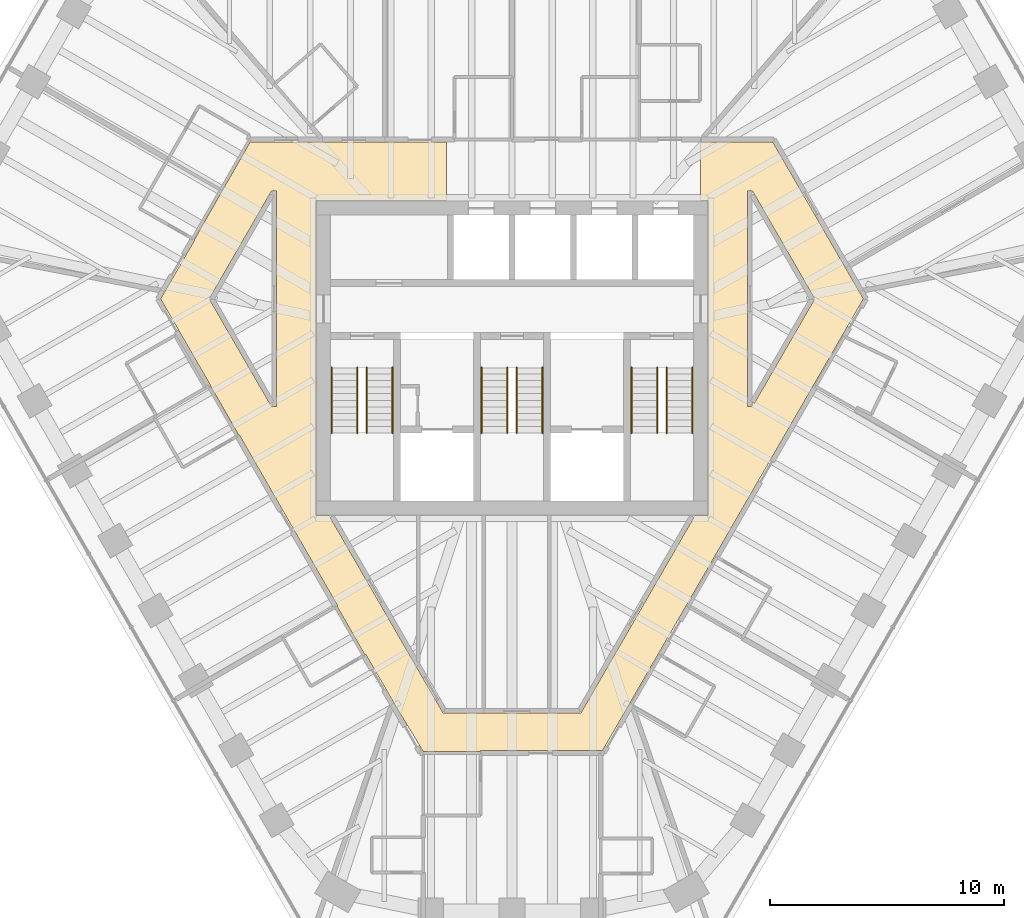
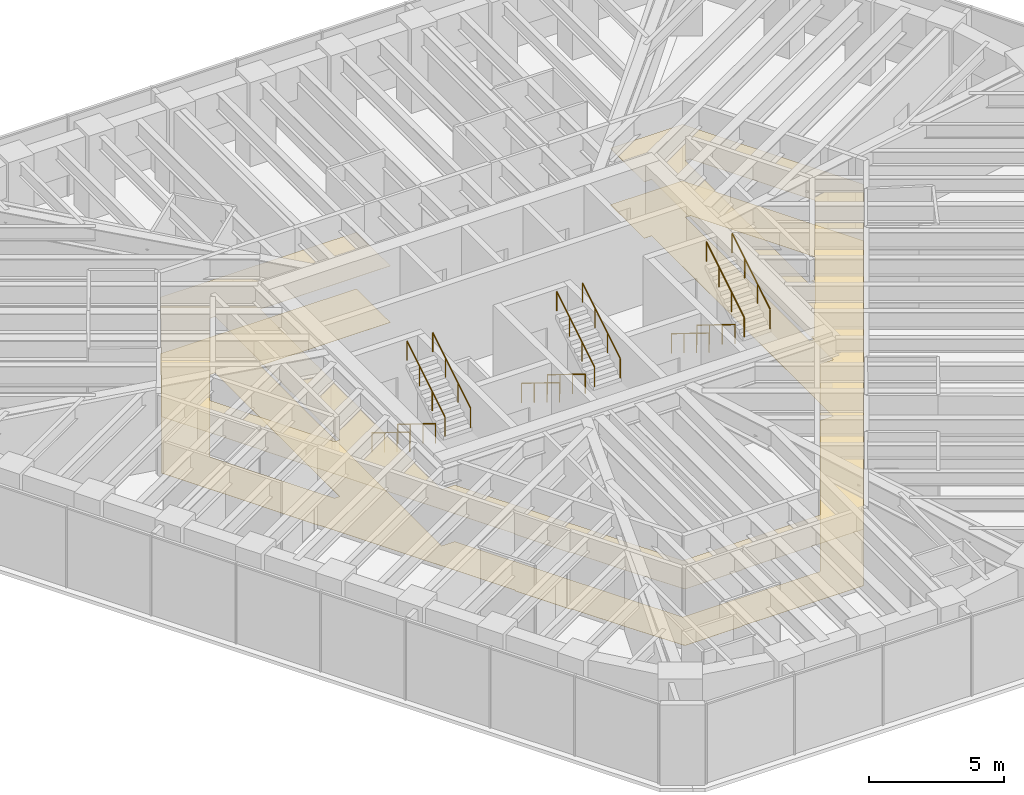
# One storey, part 14 of 14: 12 railings, 2 coverings.
"""IFC4 building model written with IfcOpenShell, lengths in metres."""

from ifc_helpers import new_model, si_unit, direction, frame, origin, origin_2d, place, context, subcontext, project, spatial, polyline, circle, outline, extrude, material, layer, layer_set, type_object, element, save


model = new_model("IFC4")

# Units and contexts
model_context = context("Model", 3, precision=1e-05, world=origin(), true_north=direction((0.0, 1.0)))
body_context = subcontext(model_context, "Body", "Model", "MODEL_VIEW")
ifc_project = project(units=[si_unit("LENGTHUNIT", "METRE"), si_unit("AREAUNIT", "SQUARE_METRE"), si_unit("VOLUMEUNIT", "CUBIC_METRE"), si_unit("PLANEANGLEUNIT", "RADIAN"), si_unit("MASSUNIT", "GRAM", prefix="KILO")], contexts=[model_context])

# Site, building, storey
site_placement = place(None, origin())
site = spatial("IfcSite", under=ifc_project, at=site_placement, CompositionType="ELEMENT")
building_placement = place(site_placement, origin())
building = spatial("IfcBuilding", under=site, at=building_placement, Name="Sandreach Pilgrim Tower", CompositionType="ELEMENT")
storey_placement = place(building_placement, frame((0.0, 0.0, 295.0)))
storey = spatial("IfcBuildingStorey", under=building, at=storey_placement, Name="L74", CompositionType="ELEMENT", Elevation=295.0)

# Coverings
ifc_material_1 = material(Name="Nylon carpet tile on the slab", Category="textile")
ifc_layer_1 = layer(ifc_material_1, 0.008056640625)
ifc_layer_set_1 = layer_set([ifc_layer_1], Name="Carpet tile")
covering_type_1 = type_object("IfcCoveringType", Name="Carpet tile", PredefinedType="FLOORING", material=ifc_layer_set_1)
covering_1_placement = place(storey_placement, origin())
element("IfcCovering", 1, at=covering_1_placement, inside=storey, type_object=covering_type_1, Name="Floor finish 74C Corridor 74", PredefinedType="FLOORING", context=body_context, shape_type="SweptSolid", body=[
    extrude(outline(polyline([(-15.004150390625, 2.529541015625), (-13.54345703125, 5.0498046875), (-13.559814453125, 5.059326171875), (-11.178466796875, 9.22998046875), (-2.800048828125, 9.22998046875), (-2.800048828125, 6.719970703125), (-8.3701171875, 6.719970703125), (-8.3701171875, -6.719970703125), (-7.812744140625, -6.719970703125), (-2.937744140625, -15.159912109375), (2.937744140625, -15.159912109375), (7.812744140625, -6.719970703125), (8.3701171875, -6.719970703125), (8.3701171875, 6.719970703125), (8.050048828125, 6.719970703125), (8.050048828125, 9.22998046875), (11.13232421875, 9.22998046875), (15.004150390625, 2.529541015625), (3.8623046875, -16.760009765625), (-1.340087890625, -16.760009765625), (-1.340087890625, -16.787109375), (-3.7900390625, -16.800048828125), (-3.7900390625, -16.760009765625), (-3.814208984375, -16.760009765625), (-5.036376953125, -14.731201171875), (-6.24365234375, -12.649658203125), (-6.278076171875, -12.669921875), (-7.4736328125, -10.58740234375), (-7.443359375, -10.570068359375), (-11.643310546875, -3.280029296875), (-11.66259765625, -3.291015625), (-12.8828125, -1.16552734375), (-12.87353515625, -1.159912109375), (-15.004150390625, 2.529541015625)]), holes=[polyline([(10.25, -2.070068359375), (10.25, -1.873779296875), (10.3466796875, -1.9296875), (12.925537109375, 2.530029296875), (10.265380859375, 7.139892578125), (10.050048828125, 7.139892578125), (10.050048828125, -2.070068359375), (10.25, -2.070068359375)]), polyline([(-12.925537109375, 2.530029296875), (-10.265625, -2.070068359375), (-10.050048828125, -2.070068359375), (-10.050048828125, 7.139892578125), (-10.265380859375, 7.139892578125), (-12.925537109375, 2.530029296875)])]), origin(), (0.0, 0.0, 1.0), 0.008056640625),
])
ifc_material_2 = material(Name="Gypsum board suspended ceiling on a steel grid", Category="steel")
ifc_layer_2 = layer(ifc_material_2, 0.012939453125)
ifc_layer_set_2 = layer_set([ifc_layer_2], Name="Gypsum board suspended ceiling")
covering_type_2 = type_object("IfcCoveringType", Name="Gypsum board suspended ceiling", PredefinedType="CEILING", material=ifc_layer_set_2)
covering_2_placement = place(storey_placement, frame((0.0, 0.0, 2.550048828125)))
element("IfcCovering", 2, at=covering_2_placement, inside=storey, type_object=covering_type_2, Name="Ceiling 74C Corridor 74", PredefinedType="CEILING", context=body_context, shape_type="SweptSolid", body=[
    extrude(outline(polyline([(-15.004150390625, 2.529541015625), (-13.54345703125, 5.0498046875), (-13.559814453125, 5.059326171875), (-11.178466796875, 9.22998046875), (-2.800048828125, 9.22998046875), (-2.800048828125, 6.719970703125), (-8.3701171875, 6.719970703125), (-8.3701171875, -6.719970703125), (-7.812744140625, -6.719970703125), (-2.937744140625, -15.159912109375), (2.937744140625, -15.159912109375), (7.812744140625, -6.719970703125), (8.3701171875, -6.719970703125), (8.3701171875, 6.719970703125), (8.050048828125, 6.719970703125), (8.050048828125, 9.22998046875), (11.13232421875, 9.22998046875), (15.004150390625, 2.529541015625), (3.8623046875, -16.760009765625), (-1.340087890625, -16.760009765625), (-1.340087890625, -16.787109375), (-3.7900390625, -16.800048828125), (-3.7900390625, -16.760009765625), (-3.814208984375, -16.760009765625), (-5.036376953125, -14.731201171875), (-6.24365234375, -12.649658203125), (-6.278076171875, -12.669921875), (-7.4736328125, -10.58740234375), (-7.443359375, -10.570068359375), (-11.643310546875, -3.280029296875), (-11.66259765625, -3.291015625), (-12.8828125, -1.16552734375), (-12.87353515625, -1.159912109375), (-15.004150390625, 2.529541015625)]), holes=[polyline([(10.25, -2.070068359375), (10.25, -1.873779296875), (10.3466796875, -1.9296875), (12.925537109375, 2.530029296875), (10.265380859375, 7.139892578125), (10.050048828125, 7.139892578125), (10.050048828125, -2.070068359375), (10.25, -2.070068359375)]), polyline([(-12.925537109375, 2.530029296875), (-10.265625, -2.070068359375), (-10.050048828125, -2.070068359375), (-10.050048828125, 7.139892578125), (-10.265380859375, 7.139892578125), (-12.925537109375, 2.530029296875)])]), origin(), (0.0, 0.0, 1.0), 0.012939453125),
])

# Railings
ifc_material_3 = material(Name="Stainless steel tube", Category="steel")
railing_type = type_object("IfcRailingType", Name="Stair handrail", PredefinedType="HANDRAIL", material=ifc_material_3)
for number, where, name in (
    (3, (-6.60009765625, -0.39990234375, 0.172607421875), "Handrail ST1 L74 flight 1"),
    (4, (-7.699951171875, -0.39990234375, 0.172607421875), "Handrail ST1 L74 flight 1"),
):
    element("IfcRailing", number, at=place(storey_placement, frame(where)), inside=storey, type_object=railing_type, Name=name, PredefinedType="HANDRAIL", context=body_context, shape_type="SweptSolid", body=[
        extrude(circle(Radius=0.02392578125, at=origin_2d()), frame((0.0, 0.0, 0.8759765625), z_axis=(0.0, -0.851089632645, 0.525020415988), x_axis=(1.0, 0.0, 0.0)), (0.0, 0.0, 1.0), 3.2900390625),
        extrude(circle(Radius=0.02099609375, at=origin_2d()), origin(), (0.0, 0.0, 1.0), 0.851806640625),
        extrude(circle(Radius=0.02099609375, at=origin_2d()), frame((0.0, -0.933349609375, 0.57568359375)), (0.0, 0.0, 1.0), 0.851806640625),
        extrude(circle(Radius=0.02099609375, at=origin_2d()), frame((0.0, -1.86669921875, 1.151611328125)), (0.0, 0.0, 1.0), 0.851806640625),
        extrude(circle(Radius=0.02099609375, at=origin_2d()), frame((0.0, -2.800048828125, 1.727294921875)), (0.0, 0.0, 1.0), 0.851806640625),
    ])
for number, where, name in (
    (5, (-6.199951171875, -3.199951171875, 2.07275390625), "Handrail ST1 L74 flight 2"),
    (6, (-5.10009765625, -3.199951171875, 2.07275390625), "Handrail ST1 L74 flight 2"),
):
    element("IfcRailing", number, at=place(storey_placement, frame(where)), inside=storey, type_object=railing_type, Name=name, PredefinedType="HANDRAIL", context=body_context, shape_type="SweptSolid", body=[
        extrude(circle(Radius=0.02392578125, at=origin_2d()), frame((0.0, 0.0, 0.8759765625), z_axis=(0.0, 0.851089632645, 0.525020415988), x_axis=(-1.0, 0.0, 0.0)), (0.0, 0.0, 1.0), 3.2900390625),
        extrude(circle(Radius=0.02099609375, at=origin_2d()), origin(), (0.0, 0.0, 1.0), 0.851806640625),
        extrude(circle(Radius=0.02099609375, at=origin_2d()), frame((0.0, 0.933349609375, 0.57568359375)), (0.0, 0.0, 1.0), 0.851806640625),
        extrude(circle(Radius=0.02099609375, at=origin_2d()), frame((0.0, 1.86669921875, 1.151611328125)), (0.0, 0.0, 1.0), 0.851806640625),
        extrude(circle(Radius=0.02099609375, at=origin_2d()), frame((0.0, 2.800048828125, 1.727294921875)), (0.0, 0.0, 1.0), 0.851806640625),
    ])
for number, where, name in (
    (7, (-0.199951171875, -0.39990234375, 0.172607421875), "Handrail ST3 L74 flight 1"),
    (8, (-1.300048828125, -0.39990234375, 0.172607421875), "Handrail ST3 L74 flight 1"),
):
    element("IfcRailing", number, at=place(storey_placement, frame(where)), inside=storey, type_object=railing_type, Name=name, PredefinedType="HANDRAIL", context=body_context, shape_type="SweptSolid", body=[
        extrude(circle(Radius=0.02392578125, at=origin_2d()), frame((0.0, 0.0, 0.8759765625), z_axis=(0.0, -0.851089632645, 0.525020415988), x_axis=(1.0, 0.0, 0.0)), (0.0, 0.0, 1.0), 3.2900390625),
        extrude(circle(Radius=0.02099609375, at=origin_2d()), origin(), (0.0, 0.0, 1.0), 0.851806640625),
        extrude(circle(Radius=0.02099609375, at=origin_2d()), frame((0.0, -0.933349609375, 0.57568359375)), (0.0, 0.0, 1.0), 0.851806640625),
        extrude(circle(Radius=0.02099609375, at=origin_2d()), frame((0.0, -1.86669921875, 1.151611328125)), (0.0, 0.0, 1.0), 0.851806640625),
        extrude(circle(Radius=0.02099609375, at=origin_2d()), frame((0.0, -2.800048828125, 1.727294921875)), (0.0, 0.0, 1.0), 0.851806640625),
    ])
for number, where, name in (
    (9, (0.199951171875, -3.199951171875, 2.07275390625), "Handrail ST3 L74 flight 2"),
    (10, (1.300048828125, -3.199951171875, 2.07275390625), "Handrail ST3 L74 flight 2"),
):
    element("IfcRailing", number, at=place(storey_placement, frame(where)), inside=storey, type_object=railing_type, Name=name, PredefinedType="HANDRAIL", context=body_context, shape_type="SweptSolid", body=[
        extrude(circle(Radius=0.02392578125, at=origin_2d()), frame((0.0, 0.0, 0.8759765625), z_axis=(0.0, 0.851089632645, 0.525020415988), x_axis=(-1.0, 0.0, 0.0)), (0.0, 0.0, 1.0), 3.2900390625),
        extrude(circle(Radius=0.02099609375, at=origin_2d()), origin(), (0.0, 0.0, 1.0), 0.851806640625),
        extrude(circle(Radius=0.02099609375, at=origin_2d()), frame((0.0, 0.933349609375, 0.57568359375)), (0.0, 0.0, 1.0), 0.851806640625),
        extrude(circle(Radius=0.02099609375, at=origin_2d()), frame((0.0, 1.86669921875, 1.151611328125)), (0.0, 0.0, 1.0), 0.851806640625),
        extrude(circle(Radius=0.02099609375, at=origin_2d()), frame((0.0, 2.800048828125, 1.727294921875)), (0.0, 0.0, 1.0), 0.851806640625),
    ])
for number, where, name in (
    (11, (6.199951171875, -0.39990234375, 0.172607421875), "Handrail ST2 L74 flight 1"),
    (12, (5.10009765625, -0.39990234375, 0.172607421875), "Handrail ST2 L74 flight 1"),
):
    element("IfcRailing", number, at=place(storey_placement, frame(where)), inside=storey, type_object=railing_type, Name=name, PredefinedType="HANDRAIL", context=body_context, shape_type="SweptSolid", body=[
        extrude(circle(Radius=0.02392578125, at=origin_2d()), frame((0.0, 0.0, 0.8759765625), z_axis=(0.0, -0.851089632645, 0.525020415988), x_axis=(1.0, 0.0, 0.0)), (0.0, 0.0, 1.0), 3.2900390625),
        extrude(circle(Radius=0.02099609375, at=origin_2d()), origin(), (0.0, 0.0, 1.0), 0.851806640625),
        extrude(circle(Radius=0.02099609375, at=origin_2d()), frame((0.0, -0.933349609375, 0.57568359375)), (0.0, 0.0, 1.0), 0.851806640625),
        extrude(circle(Radius=0.02099609375, at=origin_2d()), frame((0.0, -1.86669921875, 1.151611328125)), (0.0, 0.0, 1.0), 0.851806640625),
        extrude(circle(Radius=0.02099609375, at=origin_2d()), frame((0.0, -2.800048828125, 1.727294921875)), (0.0, 0.0, 1.0), 0.851806640625),
    ])
for number, where, name in (
    (13, (6.60009765625, -3.199951171875, 2.07275390625), "Handrail ST2 L74 flight 2"),
    (14, (7.699951171875, -3.199951171875, 2.07275390625), "Handrail ST2 L74 flight 2"),
):
    element("IfcRailing", number, at=place(storey_placement, frame(where)), inside=storey, type_object=railing_type, Name=name, PredefinedType="HANDRAIL", context=body_context, shape_type="SweptSolid", body=[
        extrude(circle(Radius=0.02392578125, at=origin_2d()), frame((0.0, 0.0, 0.8759765625), z_axis=(0.0, 0.851089632645, 0.525020415988), x_axis=(-1.0, 0.0, 0.0)), (0.0, 0.0, 1.0), 3.2900390625),
        extrude(circle(Radius=0.02099609375, at=origin_2d()), origin(), (0.0, 0.0, 1.0), 0.851806640625),
        extrude(circle(Radius=0.02099609375, at=origin_2d()), frame((0.0, 0.933349609375, 0.57568359375)), (0.0, 0.0, 1.0), 0.851806640625),
        extrude(circle(Radius=0.02099609375, at=origin_2d()), frame((0.0, 1.86669921875, 1.151611328125)), (0.0, 0.0, 1.0), 0.851806640625),
        extrude(circle(Radius=0.02099609375, at=origin_2d()), frame((0.0, 2.800048828125, 1.727294921875)), (0.0, 0.0, 1.0), 0.851806640625),
    ])

save(model, "model.ifc")
